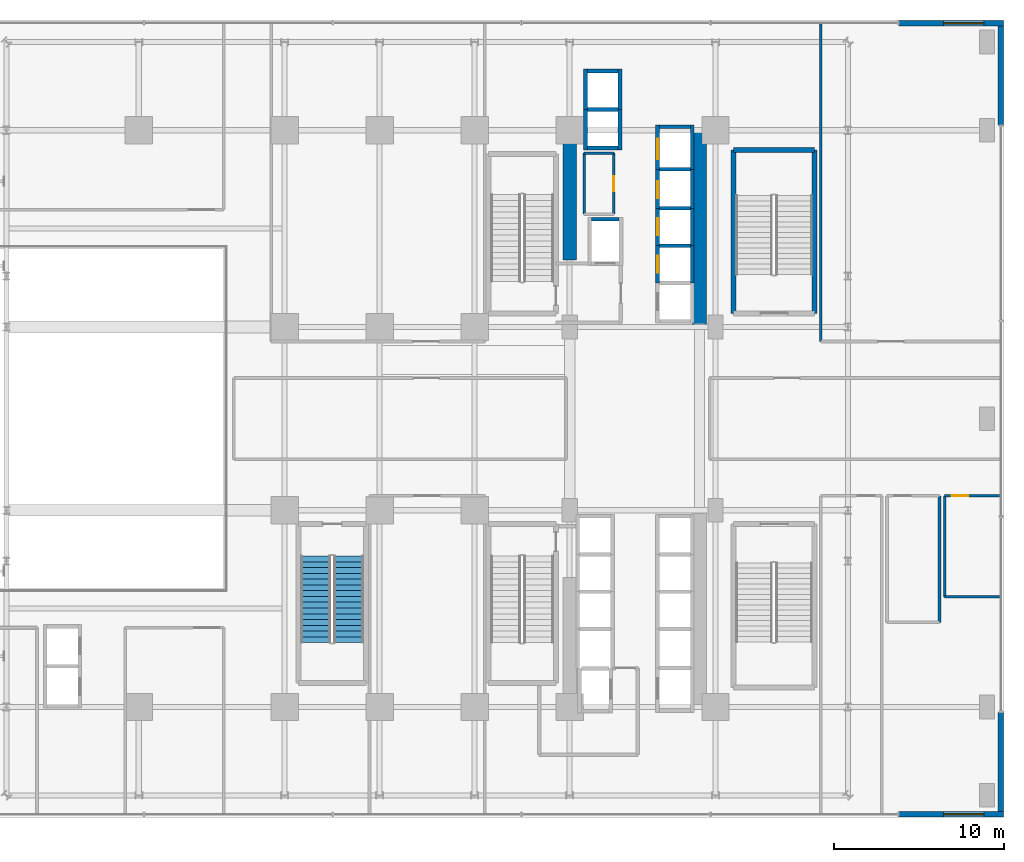
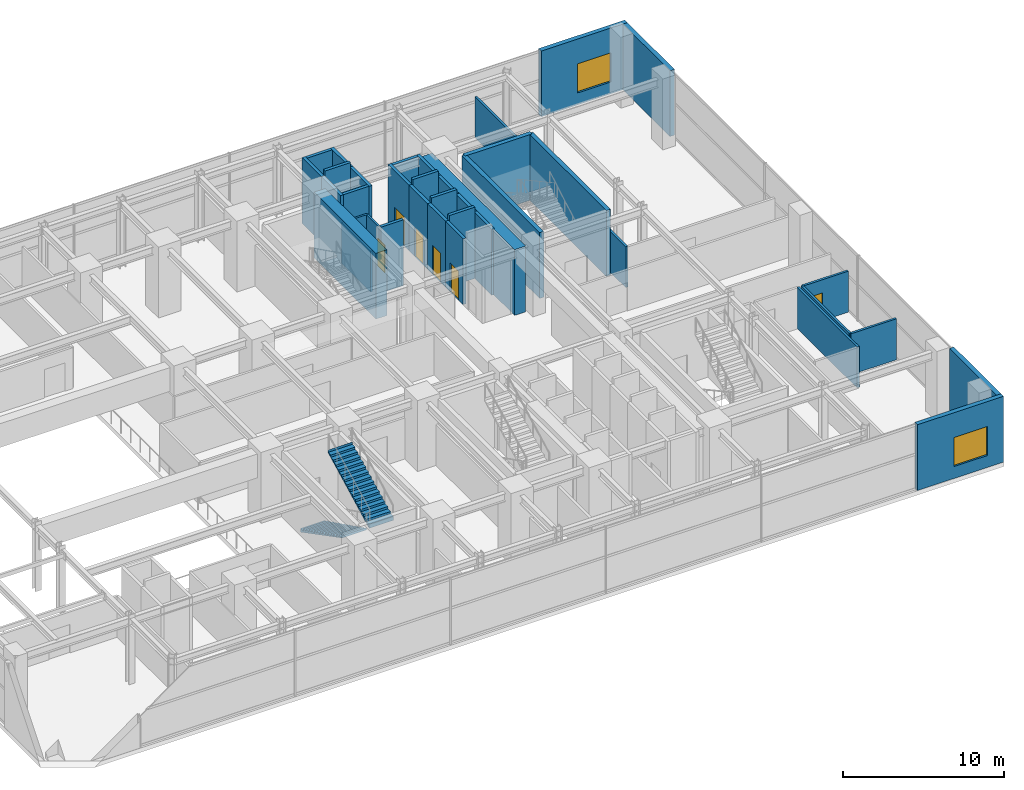
# One storey, part 30 of 35: 37 walls, 6 doors, 2 stair flights, 2 windows, 8 openings, 1 element without a shape of its own.
"""IFC4 building model written with IfcOpenShell, lengths in metres."""

from ifc_helpers import new_model, si_unit, direction, frame, frame_2d, origin, place, context, subcontext, project, spatial, polyline, rectangle, outline, extrude, source, transform, mapped, material, layer, layer_set, type_object, element, fill, aggregate, save


model = new_model("IFC4")

# Units and contexts
model_context = context("Model", 3, precision=1e-05, world=origin(), true_north=direction((0.0, 1.0)))
body_context = subcontext(model_context, "Body", "Model", "MODEL_VIEW")
ifc_project = project(units=[si_unit("LENGTHUNIT", "METRE"), si_unit("AREAUNIT", "SQUARE_METRE"), si_unit("VOLUMEUNIT", "CUBIC_METRE"), si_unit("PLANEANGLEUNIT", "RADIAN"), si_unit("MASSUNIT", "GRAM", prefix="KILO")], contexts=[model_context])

# Site, building, storey
site_placement = place(None, origin())
site = spatial("IfcSite", under=ifc_project, at=site_placement, CompositionType="ELEMENT")
building_placement = place(site_placement, origin())
building = spatial("IfcBuilding", under=site, at=building_placement, Name="Nahalor Promenade Grand Hotel", CompositionType="ELEMENT")
storey_placement = place(building_placement, frame((0.0, 0.0, 21.60009765625)))
storey = spatial("IfcBuildingStorey", under=building, at=storey_placement, Name="L04", CompositionType="ELEMENT", Elevation=21.60009765625)

# Walls
ifc_material_1 = material(Name="Concrete B-70 (C60/75)", Category="concrete")
ifc_layer_1 = layer(ifc_material_1, 0.800048828125)
ifc_layer_set_1 = layer_set([ifc_layer_1], Name="Concrete B-70 (C60/75)")
wall_type_1 = type_object("IfcWallType", Name="Wall-CoreShear-800", PredefinedType="SHEAR", material=ifc_layer_set_1)
shared_shape_1 = source(origin(), body_context, "Body", "SweptSolid", [
    extrude(rectangle(XDim=7.64990234375, YDim=0.800048828125, at=frame_2d((3.824951171875, 0.0))), origin(), (0.0, 0.0, 1.0), 4.97998046875),
])
wall_1_placement = place(storey_placement, frame((8.39990234375, 9.35009765625, 0.0), z_axis=(0.0, 0.0, 1.0), x_axis=(0.0, 1.0, 0.0)))
element("IfcWall", 1, at=wall_1_placement, inside=storey, type_object=wall_type_1, Name="CWALL-L04-NW", PredefinedType="SHEAR", context=body_context, shape_type="MappedRepresentation", body=[
    mapped(shared_shape_1, transform((0.0, 0.0, 0.0), scale=1.0)),
])
shared_shape_2 = source(origin(), body_context, "Body", "SweptSolid", [
    extrude(rectangle(XDim=11.60009765625, YDim=0.800048828125, at=frame_2d((5.800048828125, 0.0))), origin(), (0.0, 0.0, 1.0), 4.97998046875),
])
wall_2_placement = place(storey_placement, frame((16.050048828125, 5.39990234375, 0.0), z_axis=(0.0, 0.0, 1.0), x_axis=(0.0, 1.0, 0.0)))
element("IfcWall", 2, at=wall_2_placement, inside=storey, type_object=wall_type_1, Name="CWALL-L04-NE", PredefinedType="SHEAR", context=body_context, shape_type="MappedRepresentation", body=[
    mapped(shared_shape_2, transform((0.0, 0.0, 0.0), scale=1.0)),
])
ifc_material_2 = material(Name="Concrete B-50 (C40/50)", Category="concrete")
ifc_layer_2 = layer(ifc_material_2, 0.300048828125)
ifc_layer_set_2 = layer_set([ifc_layer_2], Name="Concrete B-50 (C40/50)")
wall_type_2 = type_object("IfcWallType", Name="Wall-ShaftShear-300", PredefinedType="SHEAR", material=ifc_layer_set_2)
shared_shape_3 = source(origin(), body_context, "Body", "SweptSolid", [
    extrude(rectangle(XDim=4.780029296875, YDim=0.300048828125, at=frame_2d((2.39013671875, 0.0))), origin(), (0.0, 0.0, 1.0), 4.97998046875),
])
wall_3_placement = place(storey_placement, frame((18.06005859375, 15.840087890625, 0.0), z_axis=(0.0, 0.0, 1.0), x_axis=(1.0, 0.0, 0.0)))
element("IfcWall", 3, at=wall_3_placement, inside=storey, type_object=wall_type_2, Name="L04 Exit Stair ST4 Shaft Wall N", PredefinedType="SHEAR", context=body_context, shape_type="MappedRepresentation", body=[
    mapped(shared_shape_3, transform((0.0, 0.0, 0.0), scale=1.0)),
])
shared_shape_4 = source(origin(), body_context, "Body", "SweptSolid", [
    extrude(rectangle(XDim=9.630126953125, YDim=0.300048828125, at=frame_2d((4.81494140625, 0.0))), origin(), (0.0, 0.0, 1.0), 4.97998046875),
])
for number, where, z_axis, x_axis, name in (
    (4, (18.06005859375, 6.2099609375, 0.0), (0.0, 0.0, 1.0), (0.0, 1.0, 0.0), "L04 Exit Stair ST4 Shaft Wall W"),
    (5, (22.840087890625, 6.2099609375, 0.0), (0.0, 0.0, 1.0), (0.0, 1.0, 0.0), "L04 Exit Stair ST4 Shaft Wall E"),
):
    element("IfcWall", number, at=place(storey_placement, frame(where, z_axis=z_axis, x_axis=x_axis)), inside=storey, type_object=wall_type_2, Name=name, PredefinedType="SHEAR", context=body_context, shape_type="MappedRepresentation", body=[
        mapped(shared_shape_4, transform((0.0, 0.0, 0.0), scale=1.0)),
    ])
ifc_layer_3 = layer(ifc_material_2, 0.219970703125)
ifc_layer_set_3 = layer_set([ifc_layer_3], Name="Concrete B-50 (C40/50)")
wall_type_3 = type_object("IfcWallType", Name="Wall-LiftShaft-220", PredefinedType="SHEAR", material=ifc_layer_set_3)
shared_shape_5 = source(origin(), body_context, "Body", "SweptSolid", [
    extrude(rectangle(XDim=1.820068359375, YDim=0.219970703125, at=frame_2d((0.91015625, 0.0))), origin(), (0.0, 0.0, 1.0), 5.39990234375),
])
for number, where, z_axis, x_axis, name in (
    (6, (13.68994140625, 10.199951171875, 0.0), (0.0, 0.0, 1.0), (1.0, 0.0, 0.0), "L04 Lift PL2 Hoistway Wall N"),
    (7, (13.68994140625, 12.39990234375, 0.0), (0.0, 0.0, 1.0), (1.0, 0.0, 0.0), "L04 Lift PL3 Hoistway Wall N"),
    (8, (13.68994140625, 14.699951171875, 0.0), (0.0, 0.0, 1.0), (1.0, 0.0, 0.0), "L04 Lift PL4 Hoistway Wall N"),
    (9, (9.43994140625, 18.22509765625, 0.0), (0.0, 0.0, 1.0), (1.0, 0.0, 0.0), "L04 Lift OB1 Hoistway Wall N"),
):
    element("IfcWall", number, at=place(storey_placement, frame(where, z_axis=z_axis, x_axis=x_axis)), inside=storey, type_object=wall_type_3, Name=name, PredefinedType="SHEAR", context=body_context, shape_type="MappedRepresentation", body=[
        mapped(shared_shape_5, transform((0.0, 0.0, 0.0), scale=1.0)),
    ])
shared_shape_6 = source(origin(), body_context, "Body", "SweptSolid", [
    extrude(rectangle(XDim=1.820068359375, YDim=0.219970703125, at=frame_2d((0.91015625, 0.0))), origin(), (0.0, 0.0, 1.0), 4.97998046875),
])
for number, where, z_axis, x_axis, name in (
    (10, (9.43994140625, 15.949951171875, 0.0), (0.0, 0.0, 1.0), (1.0, 0.0, 0.0), "L04 Lift OB1 Hoistway Wall S"),
    (11, (9.43994140625, 20.5, 0.0), (0.0, 0.0, 1.0), (1.0, 0.0, 0.0), "L04 Lift OB2 Hoistway Wall N"),
    (12, (13.68994140625, 17.199951171875, 0.0), (0.0, 0.0, 1.0), (1.0, 0.0, 0.0), "L04 Lift SV1 Hoistway Wall N"),
):
    element("IfcWall", number, at=place(storey_placement, frame(where, z_axis=z_axis, x_axis=x_axis)), inside=storey, type_object=wall_type_3, Name=name, PredefinedType="SHEAR", context=body_context, shape_type="MappedRepresentation", body=[
        mapped(shared_shape_6, transform((0.0, 0.0, 0.0), scale=1.0)),
    ])

# Wall, opening, door
shared_shape_7 = source(origin(), body_context, "Body", "SweptSolid", [
    extrude(rectangle(XDim=2.199951171875, YDim=0.219970703125, at=frame_2d((1.10009765625, 0.0))), origin(), (0.0, 0.0, 1.0), 4.97998046875),
])
wall_4_placement = place(storey_placement, frame((13.580078125, 8.0, 0.0), z_axis=(0.0, 0.0, 1.0), x_axis=(0.0, 1.0, 0.0)))
wall_4 = element("IfcWall", 13, at=wall_4_placement, inside=storey, type_object=wall_type_3, Name="L04 Lift PL2 Hoistway Wall W", PredefinedType="SHEAR", context=body_context, shape_type="MappedRepresentation", body=[
    mapped(shared_shape_7, transform((0.0, 0.0, 0.0), scale=1.0)),
])
opening_1_placement = place(wall_4_placement, frame((0.60009765625, 0.0, 0.0)))
opening_1 = element("IfcOpeningElement", 14, at=opening_1_placement, cuts=wall_4, Name="Opening LD-01", PredefinedType="OPENING", context=body_context, shape_type="SweptSolid", body=[
    extrude(rectangle(XDim=1.0, YDim=2.199951171875, at=frame_2d((0.5, 1.10009765625))), frame((0.0, 0.119873046875, 0.0), z_axis=(0.0, -1.0, 0.0), x_axis=(1.0, 0.0, 0.0)), (0.0, 0.0, 1.0), 0.239990234375),
])
ifc_material_3 = material(Name="Steel S355JR", Category="steel")
door_type_1 = type_object("IfcDoorType", Name="Door-LiftLanding-1000", OperationType="DOUBLE_DOOR_SLIDING", PredefinedType="DOOR", material=ifc_material_3)
shared_shape_8 = source(origin(), body_context, "Body", "SweptSolid", [
    extrude(rectangle(XDim=1.0, YDim=2.199951171875, at=frame_2d((0.5, 1.10009765625))), frame((0.0, 0.02490234375, 0.0), z_axis=(0.0, -1.0, 0.0), x_axis=(1.0, 0.0, 0.0)), (0.0, 0.0, 1.0), 0.050048828125),
])
door_1_placement = place(opening_1_placement, origin())
door_1 = element("IfcDoor", 15, at=door_1_placement, inside=storey, type_object=door_type_1, Name="DR-LIFT-PL2-L04", OperationType="DOUBLE_DOOR_SLIDING", OverallHeight=2.199951171875, OverallWidth=1.0, PredefinedType="DOOR", context=body_context, shape_type="MappedRepresentation", body=[
    mapped(shared_shape_8, transform((0.0, 0.0, 0.0), scale=1.0)),
])
fill(opening_1, door_1)

# Wall
wall_5_placement = place(storey_placement, frame((15.6201171875, 8.0, 0.0), z_axis=(0.0, 0.0, 1.0), x_axis=(0.0, 1.0, 0.0)))
element("IfcWall", 16, at=wall_5_placement, inside=storey, type_object=wall_type_3, Name="L04 Lift PL2 Hoistway Wall E", PredefinedType="SHEAR", context=body_context, shape_type="MappedRepresentation", body=[
    mapped(shared_shape_7, transform((0.0, 0.0, 0.0), scale=1.0)),
])

# Wall, opening, door
wall_6_placement = place(storey_placement, frame((13.580078125, 10.199951171875, 0.0), z_axis=(0.0, 0.0, 1.0), x_axis=(0.0, 1.0, 0.0)))
wall_6 = element("IfcWall", 17, at=wall_6_placement, inside=storey, type_object=wall_type_3, Name="L04 Lift PL3 Hoistway Wall W", PredefinedType="SHEAR", context=body_context, shape_type="MappedRepresentation", body=[
    mapped(shared_shape_7, transform((0.0, 0.0, 0.0), scale=1.0)),
])
opening_2_placement = place(wall_6_placement, frame((0.60009765625, 0.0, 0.0)))
opening_2 = element("IfcOpeningElement", 18, at=opening_2_placement, cuts=wall_6, Name="Opening LD-01", PredefinedType="OPENING", context=body_context, shape_type="SweptSolid", body=[
    extrude(rectangle(XDim=1.0, YDim=2.199951171875, at=frame_2d((0.5, 1.10009765625))), frame((0.0, 0.119873046875, 0.0), z_axis=(0.0, -1.0, 0.0), x_axis=(1.0, 0.0, 0.0)), (0.0, 0.0, 1.0), 0.239990234375),
])
door_2_placement = place(opening_2_placement, origin())
door_2 = element("IfcDoor", 19, at=door_2_placement, inside=storey, type_object=door_type_1, Name="DR-LIFT-PL3-L04", OperationType="DOUBLE_DOOR_SLIDING", OverallHeight=2.199951171875, OverallWidth=1.0, PredefinedType="DOOR", context=body_context, shape_type="MappedRepresentation", body=[
    mapped(shared_shape_8, transform((0.0, 0.0, 0.0), scale=1.0)),
])
fill(opening_2, door_2)

# Wall
wall_7_placement = place(storey_placement, frame((15.6201171875, 10.199951171875, 0.0), z_axis=(0.0, 0.0, 1.0), x_axis=(0.0, 1.0, 0.0)))
element("IfcWall", 20, at=wall_7_placement, inside=storey, type_object=wall_type_3, Name="L04 Lift PL3 Hoistway Wall E", PredefinedType="SHEAR", context=body_context, shape_type="MappedRepresentation", body=[
    mapped(shared_shape_7, transform((0.0, 0.0, 0.0), scale=1.0)),
])

# Wall, opening, door
shared_shape_9 = source(origin(), body_context, "Body", "SweptSolid", [
    extrude(rectangle(XDim=2.300048828125, YDim=0.219970703125, at=frame_2d((1.14990234375, 0.0))), origin(), (0.0, 0.0, 1.0), 4.97998046875),
])
wall_8_placement = place(storey_placement, frame((13.580078125, 12.39990234375, 0.0), z_axis=(0.0, 0.0, 1.0), x_axis=(0.0, 1.0, 0.0)))
wall_8 = element("IfcWall", 21, at=wall_8_placement, inside=storey, type_object=wall_type_3, Name="L04 Lift PL4 Hoistway Wall W", PredefinedType="SHEAR", context=body_context, shape_type="MappedRepresentation", body=[
    mapped(shared_shape_9, transform((0.0, 0.0, 0.0), scale=1.0)),
])
opening_3_placement = place(wall_8_placement, frame((0.60009765625, 0.0, 0.0)))
opening_3 = element("IfcOpeningElement", 22, at=opening_3_placement, cuts=wall_8, Name="Opening LD-01", PredefinedType="OPENING", context=body_context, shape_type="SweptSolid", body=[
    extrude(rectangle(XDim=1.0, YDim=2.199951171875, at=frame_2d((0.5, 1.10009765625))), frame((0.0, 0.119873046875, 0.0), z_axis=(0.0, -1.0, 0.0), x_axis=(1.0, 0.0, 0.0)), (0.0, 0.0, 1.0), 0.239990234375),
])
door_3_placement = place(opening_3_placement, origin())
door_3 = element("IfcDoor", 23, at=door_3_placement, inside=storey, type_object=door_type_1, Name="DR-LIFT-PL4-L04", OperationType="DOUBLE_DOOR_SLIDING", OverallHeight=2.199951171875, OverallWidth=1.0, PredefinedType="DOOR", context=body_context, shape_type="MappedRepresentation", body=[
    mapped(shared_shape_8, transform((0.0, 0.0, 0.0), scale=1.0)),
])
fill(opening_3, door_3)

# Walls
wall_9_placement = place(storey_placement, frame((15.6201171875, 12.39990234375, 0.0), z_axis=(0.0, 0.0, 1.0), x_axis=(0.0, 1.0, 0.0)))
element("IfcWall", 24, at=wall_9_placement, inside=storey, type_object=wall_type_3, Name="L04 Lift PL4 Hoistway Wall E", PredefinedType="SHEAR", context=body_context, shape_type="MappedRepresentation", body=[
    mapped(shared_shape_9, transform((0.0, 0.0, 0.0), scale=1.0)),
])
shared_shape_10 = source(origin(), body_context, "Body", "SweptSolid", [
    extrude(rectangle(XDim=2.385009765625, YDim=0.219970703125, at=frame_2d((1.1923828125, 0.0))), origin(), (0.0, 0.0, 1.0), 4.97998046875),
])
for number, where, z_axis, x_axis, name in (
    (25, (9.330078125, 15.840087890625, 0.0), (0.0, 0.0, 1.0), (0.0, 1.0, 0.0), "L04 Lift OB1 Hoistway Wall W"),
    (26, (11.3701171875, 15.840087890625, 0.0), (0.0, 0.0, 1.0), (0.0, 1.0, 0.0), "L04 Lift OB1 Hoistway Wall E"),
    (27, (9.330078125, 18.22509765625, 0.0), (0.0, 0.0, 1.0), (0.0, 1.0, 0.0), "L04 Lift OB2 Hoistway Wall W"),
    (28, (11.3701171875, 18.22509765625, 0.0), (0.0, 0.0, 1.0), (0.0, 1.0, 0.0), "L04 Lift OB2 Hoistway Wall E"),
):
    element("IfcWall", number, at=place(storey_placement, frame(where, z_axis=z_axis, x_axis=x_axis)), inside=storey, type_object=wall_type_3, Name=name, PredefinedType="SHEAR", context=body_context, shape_type="MappedRepresentation", body=[
        mapped(shared_shape_10, transform((0.0, 0.0, 0.0), scale=1.0)),
    ])
shared_shape_11 = source(origin(), body_context, "Body", "SweptSolid", [
    extrude(rectangle(XDim=1.6201171875, YDim=0.219970703125, at=frame_2d((0.81005859375, 0.0))), origin(), (0.0, 0.0, 1.0), 4.97998046875),
])
wall_10_placement = place(storey_placement, frame((9.68994140625, 11.75, 0.0), z_axis=(0.0, 0.0, 1.0), x_axis=(1.0, 0.0, 0.0)))
element("IfcWall", 29, at=wall_10_placement, inside=storey, type_object=wall_type_3, Name="L04 Lift FL1 Hoistway Wall N", PredefinedType="SHEAR", context=body_context, shape_type="MappedRepresentation", body=[
    mapped(shared_shape_11, transform((0.0, 0.0, 0.0), scale=1.0)),
])

# Wall, opening, door
shared_shape_12 = source(origin(), body_context, "Body", "SweptSolid", [
    extrude(rectangle(XDim=2.610107421875, YDim=0.219970703125, at=frame_2d((1.30517578125, 0.0))), origin(), (0.0, 0.0, 1.0), 4.97998046875),
])
wall_11_placement = place(storey_placement, frame((13.580078125, 14.699951171875, 0.0), z_axis=(0.0, 0.0, 1.0), x_axis=(0.0, 1.0, 0.0)))
wall_11 = element("IfcWall", 30, at=wall_11_placement, inside=storey, type_object=wall_type_3, Name="L04 Lift SV1 Hoistway Wall W", PredefinedType="SHEAR", context=body_context, shape_type="MappedRepresentation", body=[
    mapped(shared_shape_12, transform((0.0, 0.0, 0.0), scale=1.0)),
])
opening_4_placement = place(wall_11_placement, frame((0.60009765625, 0.0, 0.0)))
opening_4 = element("IfcOpeningElement", 31, at=opening_4_placement, cuts=wall_11, Name="Opening LD-03", PredefinedType="OPENING", context=body_context, shape_type="SweptSolid", body=[
    extrude(rectangle(XDim=1.199951171875, YDim=2.199951171875, at=frame_2d((0.60009765625, 1.10009765625))), frame((0.0, 0.119873046875, 0.0), z_axis=(0.0, -1.0, 0.0), x_axis=(1.0, 0.0, 0.0)), (0.0, 0.0, 1.0), 0.239990234375),
])
door_type_2 = type_object("IfcDoorType", Name="Door-LiftService-1200", OperationType="DOUBLE_DOOR_SLIDING", PredefinedType="DOOR", material=ifc_material_3)
shared_shape_13 = source(origin(), body_context, "Body", "SweptSolid", [
    extrude(rectangle(XDim=1.199951171875, YDim=2.199951171875, at=frame_2d((0.60009765625, 1.10009765625))), frame((0.0, 0.02490234375, 0.0), z_axis=(0.0, -1.0, 0.0), x_axis=(1.0, 0.0, 0.0)), (0.0, 0.0, 1.0), 0.050048828125),
])
door_4_placement = place(opening_4_placement, origin())
door_4 = element("IfcDoor", 32, at=door_4_placement, inside=storey, type_object=door_type_2, Name="DR-LIFT-SV1-L04", OperationType="DOUBLE_DOOR_SLIDING", OverallHeight=2.199951171875, OverallWidth=1.199951171875, PredefinedType="DOOR", context=body_context, shape_type="MappedRepresentation", body=[
    mapped(shared_shape_13, transform((0.0, 0.0, 0.0), scale=1.0)),
])
fill(opening_4, door_4)

# Wall
wall_12_placement = place(storey_placement, frame((15.6201171875, 14.699951171875, 0.0), z_axis=(0.0, 0.0, 1.0), x_axis=(0.0, 1.0, 0.0)))
element("IfcWall", 33, at=wall_12_placement, inside=storey, type_object=wall_type_3, Name="L04 Lift SV1 Hoistway Wall E", PredefinedType="SHEAR", context=body_context, shape_type="MappedRepresentation", body=[
    mapped(shared_shape_12, transform((0.0, 0.0, 0.0), scale=1.0)),
])

# Wall, opening, window
ifc_material_4 = material(Name="Concrete B-40 (C32/40)", Category="concrete")
ifc_layer_4 = layer(ifc_material_4, 0.320068359375)
ifc_layer_set_4 = layer_set([ifc_layer_4], Name="Concrete B-40 (C32/40)")
wall_type_4 = type_object("IfcWallType", Name="Wall-LimestonePier-320", PredefinedType="STANDARD", material=ifc_layer_set_4)
shared_shape_14 = source(origin(), body_context, "Body", "SweptSolid", [
    extrude(rectangle(XDim=6.159912109375, YDim=0.320068359375, at=frame_2d((3.080078125, 0.0))), origin(), (0.0, 0.0, 1.0), 4.97998046875),
])
wall_13_placement = place(storey_placement, frame((27.820068359375, -23.320068359375, 0.0), z_axis=(0.0, 0.0, 1.0), x_axis=(1.0, 0.0, 0.0)))
wall_13 = element("IfcWall", 34, at=wall_13_placement, inside=storey, type_object=wall_type_4, Name="W-L04-CRN-SE-X", PredefinedType="STANDARD", context=body_context, shape_type="MappedRepresentation", body=[
    mapped(shared_shape_14, transform((0.0, 0.0, 0.0), scale=1.0)),
])
opening_5_placement = place(wall_13_placement, frame((2.60009765625, 0.0, 0.89990234375)))
opening_5 = element("IfcOpeningElement", 35, at=opening_5_placement, cuts=wall_13, Name="Opening WN-02", PredefinedType="OPENING", context=body_context, shape_type="SweptSolid", body=[
    extrude(rectangle(XDim=2.39990234375, YDim=2.199951171875, at=frame_2d((1.199951171875, 1.10009765625))), frame((0.0, 0.169921875, 0.0), z_axis=(0.0, -1.0, 0.0), x_axis=(1.0, 0.0, 0.0)), (0.0, 0.0, 1.0), 0.340087890625),
])
ifc_material_5 = material(Name="Low-E Laminated Solar Glass", Category="glass")
window_type = type_object("IfcWindowType", Name="Win-PodiumArch-2400x2200", PartitioningType="SINGLE_PANEL", PredefinedType="WINDOW", material=ifc_material_5)
shared_shape_15 = source(origin(), body_context, "Body", "SweptSolid", [
    extrude(rectangle(XDim=2.39990234375, YDim=2.199951171875, at=frame_2d((1.199951171875, 1.10009765625))), frame((0.0, 0.030029296875, 0.0), z_axis=(0.0, -1.0, 0.0), x_axis=(1.0, 0.0, 0.0)), (0.0, 0.0, 1.0), 0.06005859375),
])
window_1_placement = place(opening_5_placement, origin())
window_1 = element("IfcWindow", 36, at=window_1_placement, inside=storey, type_object=window_type, Name="WN-L04-SE-X", OverallHeight=2.199951171875, OverallWidth=2.39990234375, PartitioningType="SINGLE_PANEL", PredefinedType="WINDOW", context=body_context, shape_type="MappedRepresentation", body=[
    mapped(shared_shape_15, transform((0.0, 0.0, 0.0), scale=1.0)),
])
fill(opening_5, window_1)

wall_14_placement = place(storey_placement, frame((27.820068359375, 23.320068359375, 0.0), z_axis=(0.0, 0.0, 1.0), x_axis=(1.0, 0.0, 0.0)))
wall_14 = element("IfcWall", 37, at=wall_14_placement, inside=storey, type_object=wall_type_4, Name="W-L04-CRN-NE-X", PredefinedType="STANDARD", context=body_context, shape_type="MappedRepresentation", body=[
    mapped(shared_shape_14, transform((0.0, 0.0, 0.0), scale=1.0)),
])
opening_6_placement = place(wall_14_placement, frame((2.60009765625, 0.0, 0.89990234375)))
opening_6 = element("IfcOpeningElement", 38, at=opening_6_placement, cuts=wall_14, Name="Opening WN-02", PredefinedType="OPENING", context=body_context, shape_type="SweptSolid", body=[
    extrude(rectangle(XDim=2.39990234375, YDim=2.199951171875, at=frame_2d((1.199951171875, 1.10009765625))), frame((0.0, 0.169921875, 0.0), z_axis=(0.0, -1.0, 0.0), x_axis=(1.0, 0.0, 0.0)), (0.0, 0.0, 1.0), 0.340087890625),
])
window_2_placement = place(opening_6_placement, origin())
window_2 = element("IfcWindow", 39, at=window_2_placement, inside=storey, type_object=window_type, Name="WN-L04-NE-X", OverallHeight=2.199951171875, OverallWidth=2.39990234375, PartitioningType="SINGLE_PANEL", PredefinedType="WINDOW", context=body_context, shape_type="MappedRepresentation", body=[
    mapped(shared_shape_15, transform((0.0, 0.0, 0.0), scale=1.0)),
])
fill(opening_6, window_2)

# Walls
shared_shape_16 = source(origin(), body_context, "Body", "SweptSolid", [
    extrude(rectangle(XDim=5.83984375, YDim=0.320068359375, at=frame_2d((2.919921875, 0.0))), origin(), (0.0, 0.0, 1.0), 4.97998046875),
])
for number, where, z_axis, x_axis, name in (
    (40, (33.820068359375, -23.159912109375, 0.0), (0.0, 0.0, 1.0), (0.0, 1.0, 0.0), "W-L04-CRN-SE-Y"),
    (41, (33.820068359375, 17.320068359375, 0.0), (0.0, 0.0, 1.0), (0.0, 1.0, 0.0), "W-L04-CRN-NE-Y"),
):
    element("IfcWall", number, at=place(storey_placement, frame(where, z_axis=z_axis, x_axis=x_axis)), inside=storey, type_object=wall_type_4, Name=name, PredefinedType="STANDARD", context=body_context, shape_type="MappedRepresentation", body=[
        mapped(shared_shape_16, transform((0.0, 0.0, 0.0), scale=1.0)),
    ])
ifc_material_6 = material(Name="Acoustic Mineral Gypsum", Category="gypsum")
ifc_layer_5 = layer(ifc_material_6, 0.14990234375)
ifc_layer_set_5 = layer_set([ifc_layer_5], Name="Acoustic Mineral Gypsum")
wall_type_5 = type_object("IfcWallType", Name="Wall-PartService-150", PredefinedType="PARTITIONING", material=ifc_layer_set_5)
shared_shape_17 = source(origin(), body_context, "Body", "SweptSolid", [
    extrude(rectangle(XDim=1.75, YDim=0.14990234375, at=frame_2d((0.875, 0.0))), origin(), (0.0, 0.0, 1.0), 3.099853515625),
])
wall_15_placement = place(storey_placement, frame((9.25, 15.64990234375, 0.0), z_axis=(0.0, 0.0, 1.0), x_axis=(1.0, 0.0, 0.0)))
element("IfcWall", 42, at=wall_15_placement, inside=storey, type_object=wall_type_5, Name="W-L04-CK1A-N", PredefinedType="PARTITIONING", context=body_context, shape_type="MappedRepresentation", body=[
    mapped(shared_shape_17, transform((0.0, 0.0, 0.0), scale=1.0)),
])
shared_shape_18 = source(origin(), body_context, "Body", "SweptSolid", [
    extrude(rectangle(XDim=3.599853515625, YDim=0.14990234375, at=frame_2d((1.7998046875, 0.0))), origin(), (0.0, 0.0, 1.0), 3.099853515625),
])
wall_16_placement = place(storey_placement, frame((9.25, 12.050048828125, 0.0), z_axis=(0.0, 0.0, 1.0), x_axis=(0.0, 1.0, 0.0)))
element("IfcWall", 43, at=wall_16_placement, inside=storey, type_object=wall_type_5, Name="W-L04-CK1A-W", PredefinedType="PARTITIONING", context=body_context, shape_type="MappedRepresentation", body=[
    mapped(shared_shape_18, transform((0.0, 0.0, 0.0), scale=1.0)),
])

# Wall, opening, door
wall_17_placement = place(storey_placement, frame((11.0, 12.050048828125, 0.0), z_axis=(0.0, 0.0, 1.0), x_axis=(0.0, 1.0, 0.0)))
wall_17 = element("IfcWall", 44, at=wall_17_placement, inside=storey, type_object=wall_type_5, Name="W-L04-CK1A-E", PredefinedType="PARTITIONING", context=body_context, shape_type="MappedRepresentation", body=[
    mapped(shared_shape_18, transform((0.0, 0.0, 0.0), scale=1.0)),
])
opening_7_placement = place(wall_17_placement, frame((1.360107421875, 0.0, 0.0)))
opening_7 = element("IfcOpeningElement", 45, at=opening_7_placement, cuts=wall_17, Name="Opening D-03", PredefinedType="OPENING", context=body_context, shape_type="SweptSolid", body=[
    extrude(rectangle(XDim=0.8798828125, YDim=2.10009765625, at=frame_2d((0.43994140625, 1.050048828125))), frame((0.0, 0.0849609375, 0.0), z_axis=(0.0, -1.0, 0.0), x_axis=(1.0, 0.0, 0.0)), (0.0, 0.0, 1.0), 0.169921875),
])
ifc_material_7 = material(Name="Fire-Rated Timber Composite", Category="wood")
door_type_3 = type_object("IfcDoorType", Name="Door-BathSwing-880", OperationType="NOTDEFINED", PredefinedType="DOOR", material=ifc_material_7)
shared_shape_19 = source(origin(), body_context, "Body", "SweptSolid", [
    extrude(rectangle(XDim=0.8798828125, YDim=2.10009765625, at=frame_2d((0.43994140625, 1.050048828125))), frame((0.0, 0.02490234375, 0.0), z_axis=(0.0, -1.0, 0.0), x_axis=(1.0, 0.0, 0.0)), (0.0, 0.0, 1.0), 0.050048828125),
])
door_5_placement = place(opening_7_placement, origin())
door_5 = element("IfcDoor", 46, at=door_5_placement, inside=storey, type_object=door_type_3, Name="DR-L04-CK1A", OperationType="SINGLE_SWING_LEFT", OverallHeight=2.10009765625, OverallWidth=0.8798828125, PredefinedType="DOOR", context=body_context, shape_type="MappedRepresentation", body=[
    mapped(shared_shape_19, transform((0.0, 0.0, 0.0), scale=1.0)),
])
fill(opening_7, door_5)

# Walls
ifc_layer_6 = layer(ifc_material_6, 0.159912109375)
ifc_layer_set_6 = layer_set([ifc_layer_6], Name="Acoustic Mineral Gypsum")
wall_type_6 = type_object("IfcWallType", Name="Wall-PartCorridor-160", PredefinedType="PARTITIONING", material=ifc_layer_set_6)
shared_shape_20 = source(origin(), body_context, "Body", "SweptSolid", [
    extrude(rectangle(XDim=18.7099609375, YDim=0.159912109375, at=frame_2d((9.35498046875, 0.0))), origin(), (0.0, 0.0, 1.0), 3.099853515625),
])
wall_18_placement = place(storey_placement, frame((23.199951171875, 4.550048828125, 0.0), z_axis=(0.0, 0.0, 1.0), x_axis=(0.0, 1.0, 0.0)))
element("IfcWall", 47, at=wall_18_placement, inside=storey, type_object=wall_type_6, Name="W-L04-PR08-W", PredefinedType="PARTITIONING", context=body_context, shape_type="MappedRepresentation", body=[
    mapped(shared_shape_20, transform((0.0, 0.0, 0.0), scale=1.0)),
])
shared_shape_21 = source(origin(), body_context, "Body", "SweptSolid", [
    extrude(rectangle(XDim=7.449951171875, YDim=0.159912109375, at=frame_2d((3.72509765625, 0.0))), origin(), (0.0, 0.0, 1.0), 3.099853515625),
])
wall_19_placement = place(storey_placement, frame((30.199951171875, -12.0, 0.0), z_axis=(0.0, 0.0, 1.0), x_axis=(0.0, 1.0, 0.0)))
element("IfcWall", 48, at=wall_19_placement, inside=storey, type_object=wall_type_6, Name="W-L04-PR10-E", PredefinedType="PARTITIONING", context=body_context, shape_type="MappedRepresentation", body=[
    mapped(shared_shape_21, transform((0.0, 0.0, 0.0), scale=1.0)),
])
shared_shape_22 = source(origin(), body_context, "Body", "SweptSolid", [
    extrude(rectangle(XDim=3.260009765625, YDim=0.159912109375, at=frame_2d((1.6298828125, 0.0))), origin(), (0.0, 0.0, 1.0), 3.099853515625),
])
wall_20_placement = place(storey_placement, frame((30.5, -10.5, 0.0), z_axis=(0.0, 0.0, 1.0), x_axis=(1.0, 0.0, 0.0)))
element("IfcWall", 49, at=wall_20_placement, inside=storey, type_object=wall_type_6, Name="W-L04-PR11-S", PredefinedType="PARTITIONING", context=body_context, shape_type="MappedRepresentation", body=[
    mapped(shared_shape_22, transform((0.0, 0.0, 0.0), scale=1.0)),
])

# Wall, opening, door
wall_21_placement = place(storey_placement, frame((30.5, -4.550048828125, 0.0), z_axis=(0.0, 0.0, 1.0), x_axis=(1.0, 0.0, 0.0)))
wall_21 = element("IfcWall", 50, at=wall_21_placement, inside=storey, type_object=wall_type_6, Name="W-L04-PR11-N", PredefinedType="PARTITIONING", context=body_context, shape_type="MappedRepresentation", body=[
    mapped(shared_shape_22, transform((0.0, 0.0, 0.0), scale=1.0)),
])
opening_8_placement = place(wall_21_placement, frame((0.423095703125, 0.0, 0.0)))
opening_8 = element("IfcOpeningElement", 51, at=opening_8_placement, cuts=wall_21, Name="Opening D-05", PredefinedType="OPENING", context=body_context, shape_type="SweptSolid", body=[
    extrude(rectangle(XDim=0.97998046875, YDim=2.10009765625, at=frame_2d((0.489990234375, 1.050048828125))), frame((0.0, 0.08984375, 0.0), z_axis=(0.0, -1.0, 0.0), x_axis=(1.0, 0.0, 0.0)), (0.0, 0.0, 1.0), 0.179931640625),
])
door_type_4 = type_object("IfcDoorType", Name="Door-AccessibleWC-980", OperationType="NOTDEFINED", PredefinedType="DOOR", material=ifc_material_7)
shared_shape_23 = source(origin(), body_context, "Body", "SweptSolid", [
    extrude(rectangle(XDim=0.97998046875, YDim=2.10009765625, at=frame_2d((0.489990234375, 1.050048828125))), frame((0.0, 0.02490234375, 0.0), z_axis=(0.0, -1.0, 0.0), x_axis=(1.0, 0.0, 0.0)), (0.0, 0.0, 1.0), 0.050048828125),
])
door_6_placement = place(opening_8_placement, frame((0.97998046875, 0.0, 0.0), z_axis=(0.0, 0.0, 1.0), x_axis=(-1.0, 0.0, 0.0)))
door_6 = element("IfcDoor", 52, at=door_6_placement, inside=storey, type_object=door_type_4, Name="DR-L04-PR11", OperationType="SINGLE_SWING_RIGHT", OverallHeight=2.10009765625, OverallWidth=0.97998046875, PredefinedType="DOOR", context=body_context, shape_type="MappedRepresentation", body=[
    mapped(shared_shape_23, transform((0.0, 0.0, 0.0), scale=1.0)),
])
fill(opening_8, door_6)

# Wall
shared_shape_24 = source(origin(), body_context, "Body", "SweptSolid", [
    extrude(rectangle(XDim=5.949951171875, YDim=0.159912109375, at=frame_2d((2.97509765625, 0.0))), origin(), (0.0, 0.0, 1.0), 3.099853515625),
])
wall_22_placement = place(storey_placement, frame((30.5, -10.5, 0.0), z_axis=(0.0, 0.0, 1.0), x_axis=(0.0, 1.0, 0.0)))
element("IfcWall", 53, at=wall_22_placement, inside=storey, type_object=wall_type_6, Name="W-L04-PR11-W", PredefinedType="PARTITIONING", context=body_context, shape_type="MappedRepresentation", body=[
    mapped(shared_shape_24, transform((0.0, 0.0, 0.0), scale=1.0)),
])

# Stair, stair flights
stair_type = type_object("IfcStairType", Name="Stair-ST3", PredefinedType="HALF_TURN_STAIR", material=ifc_material_2)
stair_placement = place(storey_placement, origin())
stair = element("IfcStair", 54, at=stair_placement, inside=storey, type_object=stair_type, Name="L04 ST3", PredefinedType="HALF_TURN_STAIR")
ifc_layer_7 = layer(ifc_material_2, 0.199951171875)
ifc_layer_set_7 = layer_set([ifc_layer_7], Name="Concrete B-50 (C40/50)")
stair_flight_type = type_object("IfcStairFlightType", Name="Flight-ST3", PredefinedType="STRAIGHT", material=ifc_layer_set_7)
shared_shape_25 = source(origin(), body_context, "Body", "SweptSolid", [
    extrude(outline(polyline([(-0.00390625, -0.1201171875), (-0.00390625, 0.0), (0.0, 0.0), (0.0, 0.168701171875), (0.340087890625, 0.168701171875), (0.340087890625, 0.33740234375), (0.679931640625, 0.33740234375), (0.679931640625, 0.50634765625), (1.02001953125, 0.50634765625), (1.02001953125, 0.675048828125), (1.360107421875, 0.675048828125), (1.360107421875, 0.84375), (1.699951171875, 0.84375), (1.699951171875, 1.012451171875), (2.0400390625, 1.012451171875), (2.0400390625, 1.18115234375), (2.3798828125, 1.18115234375), (2.3798828125, 1.35009765625), (2.719970703125, 1.35009765625), (2.719970703125, 1.518798828125), (3.06005859375, 1.518798828125), (3.06005859375, 1.6875), (3.39990234375, 1.6875), (3.39990234375, 1.856201171875), (3.739990234375, 1.856201171875), (3.739990234375, 2.02490234375), (4.080078125, 2.02490234375), (4.080078125, 2.19384765625), (4.419921875, 2.19384765625), (4.419921875, 2.362548828125), (4.760009765625, 2.362548828125), (4.760009765625, 2.53125), (5.10009765625, 2.53125), (5.10009765625, 2.699951171875), (5.10400390625, 2.699951171875), (5.10400390625, 2.52001953125), (0.02001953125, -0.1201171875), (-0.00390625, -0.1201171875)])), frame((0.0, 0.875, 0.0), z_axis=(0.0, -1.0, 0.0), x_axis=(1.0, 0.0, 0.0)), (0.0, 0.0, 1.0), 1.75),
])
stair_flight_1_placement = place(storey_placement, frame((-6.574951171875, -8.10009765625, 0.0), z_axis=(0.0, 0.0, 1.0), x_axis=(0.0, -1.0, 0.0)))
stair_flight_1 = element("IfcStairFlight", 55, at=stair_flight_1_placement, type_object=stair_flight_type, Name="ST3 flight 1", NumberOfRisers=16, NumberOfTreads=15, PredefinedType="STRAIGHT", RiserHeight=0.16875, TreadLength=0.34, context=body_context, shape_type="MappedRepresentation", body=[
    mapped(shared_shape_25, transform((0.0, 0.0, 0.0), scale=1.0)),
])
stair_flight_2_placement = place(storey_placement, frame((-4.625, -13.199951171875, 2.699951171875), z_axis=(0.0, 0.0, 1.0), x_axis=(0.0, 1.0, 0.0)))
stair_flight_2 = element("IfcStairFlight", 56, at=stair_flight_2_placement, type_object=stair_flight_type, Name="ST3 flight 2", NumberOfRisers=16, NumberOfTreads=15, PredefinedType="STRAIGHT", RiserHeight=0.16875, TreadLength=0.34, context=body_context, shape_type="MappedRepresentation", body=[
    mapped(shared_shape_25, transform((0.0, 0.0, 0.0), scale=1.0)),
])
aggregate(stair, [stair_flight_1, stair_flight_2])

save(model, "model.ifc")
